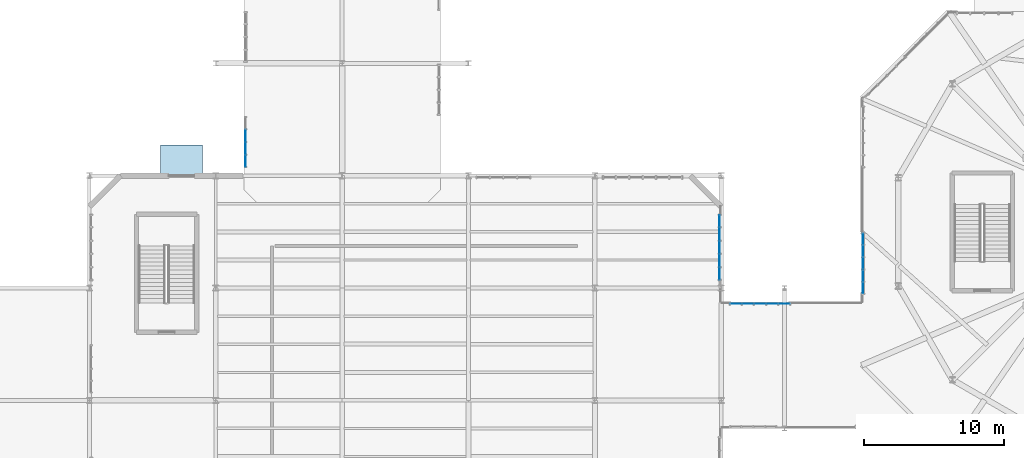
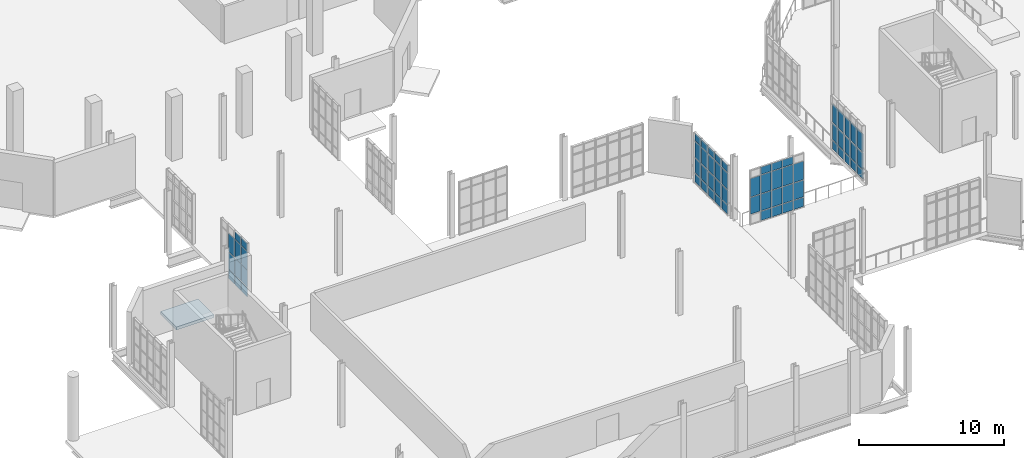
# One storey, part 143 of 189: 63 plates, 1 slab, 4 elements without a shape of their own.
"""IFC4 building model written with IfcOpenShell, lengths in metres."""

import ifcopenshell
import ifcopenshell.guid

model = None  # the IFC model being written
_history = None  # IfcOwnerHistory: only IFC2X3 demands one
_inside = {}  # id of a spatial element -> (the spatial element, [elements in it])
_under = {}  # id of a project, library or spatial element -> (it, [spatial elements below it])
_declared = {}  # id of a project -> (the project, [libraries it declares])
_typed = {}  # id of a type object -> (the type object, [elements of that type])
_made_of = {}  # id of a material, layer set ... -> (it, [elements and type objects made of it])


def new_model(schema):
    """Start an empty IFC model of exactly this schema.

    Asked for "IFC4X3", IfcOpenShell would pick the latest addendum, in which some entities
    have other attributes; the version numbers below select the first issue.
    IFC2X3 requires an IfcOwnerHistory on every rooted entity: one is made here for all.
    """
    global model, _history
    if schema == "IFC4X3":
        model = ifcopenshell.file(schema_version=(4, 3, 0, 0))
    else:
        model = ifcopenshell.file(schema=schema)
    _inside.clear()
    _under.clear()
    _declared.clear()
    _typed.clear()
    _made_of.clear()
    _history = None
    if model.schema == "IFC2X3":
        org = make("IfcOrganization", Name="unknown")
        user = make(
            "IfcPersonAndOrganization",
            ThePerson=make("IfcPerson", FamilyName="unknown"),
            TheOrganization=org,
        )
        app = make(
            "IfcApplication",
            ApplicationDeveloper=org,
            Version="unknown",
            ApplicationFullName="unknown",
            ApplicationIdentifier="unknown",
        )
        _history = make(
            "IfcOwnerHistory",
            OwningUser=user,
            OwningApplication=app,
            ChangeAction="ADDED",
            CreationDate=0,
        )
    return model


def make(cls, **values):
    """One entity of the class cls with the attributes given. An attribute that is None is left unset."""
    return model.create_entity(
        cls, **{name: value for name, value in values.items() if value is not None}
    )


def rooted(cls, **values):
    """An entity with a GlobalId (a new one), such as an element, a storey or a relation."""
    return make(cls, GlobalId=ifcopenshell.guid.new(), OwnerHistory=_history, **values)


def si_unit(unit_type, name, prefix=None):
    """IfcSIUnit, for example si_unit("LENGTHUNIT", "METRE", prefix="MILLI")."""
    return make("IfcSIUnit", UnitType=unit_type, Prefix=prefix, Name=name)


def assignment(units):
    """IfcUnitAssignment: the units of a project."""
    return None if units is None else make("IfcUnitAssignment", Units=units)


def point(xyz):
    """IfcCartesianPoint."""
    return None if xyz is None else make("IfcCartesianPoint", Coordinates=xyz)


def direction(xyz):
    """IfcDirection."""
    return None if xyz is None else make("IfcDirection", DirectionRatios=xyz)


def frame(location, z_axis=None, x_axis=None):
    """IfcAxis2Placement3D, a coordinate frame: its origin and axes. An axis left out is left unset."""
    return make(
        "IfcAxis2Placement3D",
        Location=point(location),
        Axis=direction(z_axis),
        RefDirection=direction(x_axis),
    )


def frame_2d(location, x_axis=None):
    """IfcAxis2Placement2D, a coordinate frame in the plane: its origin and x axis."""
    return make(
        "IfcAxis2Placement2D", Location=point(location), RefDirection=direction(x_axis)
    )


def origin():
    """The frame at (0, 0, 0) with its axes left unset."""
    return frame((0.0, 0.0, 0.0))


def origin_2d():
    """The frame at (0, 0) in the plane with its x axis left unset."""
    return frame_2d((0.0, 0.0))


def place(relative_to, where):
    """IfcLocalPlacement: puts the frame where relative to a parent placement (None: the world)."""
    return make(
        "IfcLocalPlacement", PlacementRelTo=relative_to, RelativePlacement=where
    )


def context(
    kind, dimensions, precision=None, world=None, true_north=None, identifier=None
):
    """IfcGeometricRepresentationContext, for example the 3D "Model" context."""
    return make(
        "IfcGeometricRepresentationContext",
        ContextIdentifier=identifier,
        ContextType=kind,
        CoordinateSpaceDimension=dimensions,
        Precision=precision,
        WorldCoordinateSystem=world,
        TrueNorth=true_north,
    )


def subcontext(parent, identifier, kind, view, scale=None):
    """IfcGeometricRepresentationSubContext, for example "Body" below "Model"."""
    return make(
        "IfcGeometricRepresentationSubContext",
        ContextIdentifier=identifier,
        ContextType=kind,
        ParentContext=parent,
        TargetScale=scale,
        TargetView=view,
    )


def project(units=None, contexts=None):
    """IfcProject with its units and contexts."""
    return rooted(
        "IfcProject",
        Name="project",
        RepresentationContexts=contexts,
        UnitsInContext=assignment(units),
    )


def spatial(cls, under=None, at=None, **own):
    """A site, building, storey or space (cls), placed at a placement, below another one or the project."""
    s = rooted(cls, ObjectPlacement=at, **own)
    if under is not None:
        _under.setdefault(under.id(), (under, []))[1].append(s)
    return s


def polyline(points):
    """IfcPolyline through the points."""
    return make("IfcPolyline", Points=[point(p) for p in points])


def profile(cls, at=None, kind="AREA", **sizes):
    """A parametric profile (cls). Its sizes go by their IFC names, for example OverallWidth=200.0."""
    return make(cls, ProfileType=kind, Position=at, **sizes)


def rectangle(**sizes):
    """IfcRectangleProfileDef."""
    return profile("IfcRectangleProfileDef", **sizes)


def outline(outer, holes=None, kind="AREA"):
    """IfcArbitraryClosedProfileDef: a profile drawn as a closed curve; with holes, ...WithVoids."""
    if holes is None:
        return make("IfcArbitraryClosedProfileDef", ProfileType=kind, OuterCurve=outer)
    return make(
        "IfcArbitraryProfileDefWithVoids",
        ProfileType=kind,
        OuterCurve=outer,
        InnerCurves=holes,
    )


def extrude(swept, where, along, depth):
    """IfcExtrudedAreaSolid: the profile swept, set in the frame where, extruded along a direction by depth."""
    return make(
        "IfcExtrudedAreaSolid",
        SweptArea=swept,
        Position=where,
        ExtrudedDirection=direction(along),
        Depth=depth,
    )


def shape(context_of_items, identifier, shape_type, items):
    """IfcShapeRepresentation: the items that make up one representation, for example the "Body"."""
    return make(
        "IfcShapeRepresentation",
        ContextOfItems=context_of_items,
        RepresentationIdentifier=identifier,
        RepresentationType=shape_type,
        Items=items,
    )


def material(Name=None, Category=None):
    """IfcMaterial."""
    return make("IfcMaterial", Name=Name, Category=Category)


def layer(
    of_material, thickness, ventilated=None, Name=None, Category=None, Priority=None
):
    """IfcMaterialLayer: one layer of a wall or slab, of a material (None: an air gap)."""
    return make(
        "IfcMaterialLayer",
        Material=of_material,
        LayerThickness=thickness,
        IsVentilated=ventilated,
        Name=Name,
        Category=Category,
        Priority=Priority,
    )


def layer_set(layers, Name=None):
    """IfcMaterialLayerSet."""
    return make("IfcMaterialLayerSet", MaterialLayers=layers, LayerSetName=Name)


def made_of(thing, what):
    """Note that an element or type object is made of a material, layer set ...; save() writes the relation."""
    if what is not None:
        _made_of.setdefault(what.id(), (what, []))[1].append(thing)
    return thing


def type_object(cls, material=None, **own):
    """A type object (cls), such as IfcWallType, which elements share."""
    return made_of(rooted(cls, **own), material)


def element(
    cls,
    number,
    at=None,
    inside=None,
    cuts=None,
    type_object=None,
    material=None,
    context=None,
    identifier="Body",
    shape_type=None,
    held_by="IfcProductDefinitionShape",
    body=None,
    shapes=None,
    **own,
):
    """One element of the class cls, such as IfcWall. Its Tag is "e" and its number.

    at: its placement. inside: the storey or other place that contains it. cuts: it is an
    opening in that element (IfcRelVoidsElement). A single representation is given by context,
    identifier, shape_type and body (its items); several are given by shapes. held_by: the class
    of the entity that holds the representations. save() writes the other relations.
    """
    e = rooted(cls, Tag="e%d" % number, ObjectPlacement=at, **own)
    if body is not None:
        shapes = [shape(context, identifier, shape_type, body)]
    if shapes is not None:
        e.Representation = make(held_by, Representations=shapes)
    if inside is not None:
        _inside.setdefault(inside.id(), (inside, []))[1].append(e)
    if cuts is not None:
        rooted(
            "IfcRelVoidsElement", RelatingBuildingElement=cuts, RelatedOpeningElement=e
        )
    if type_object is not None:
        _typed.setdefault(type_object.id(), (type_object, []))[1].append(e)
    return made_of(e, material)


def aggregate(whole, parts):
    """IfcRelAggregates: a whole, such as a stair, and the parts it consists of."""
    return rooted("IfcRelAggregates", RelatingObject=whole, RelatedObjects=parts)


def save(model, path):
    """Write the relations noted so far, then the file.

    IfcRelAggregates (storeys below a building ...), IfcRelContainedInSpatialStructure (elements
    in a storey), IfcRelDefinesByType, IfcRelAssociatesMaterial and IfcRelDeclares: one each for
    every whole, place, type object, material and project.
    """
    for whole, parts in _under.values():
        aggregate(whole, parts)
    for where, things in _inside.values():
        rooted(
            "IfcRelContainedInSpatialStructure",
            RelatedElements=things,
            RelatingStructure=where,
        )
    for kind, things in _typed.values():
        rooted("IfcRelDefinesByType", RelatedObjects=things, RelatingType=kind)
    for what, things in _made_of.values():
        rooted("IfcRelAssociatesMaterial", RelatedObjects=things, RelatingMaterial=what)
    for by, libraries in _declared.values():
        rooted("IfcRelDeclares", RelatingContext=by, RelatedDefinitions=libraries)
    model.write(path)


model = new_model("IFC4")

# Units and contexts
model_context = context("Model", 3, precision=1e-05, world=origin(), true_north=direction((0.0, 1.0)))
body_context = subcontext(model_context, "Body", "Model", "MODEL_VIEW")
ifc_project = project(units=[si_unit("LENGTHUNIT", "METRE"), si_unit("AREAUNIT", "SQUARE_METRE"), si_unit("VOLUMEUNIT", "CUBIC_METRE"), si_unit("PLANEANGLEUNIT", "RADIAN"), si_unit("MASSUNIT", "GRAM", prefix="KILO"), si_unit("THERMODYNAMICTEMPERATUREUNIT", "KELVIN"), si_unit("POWERUNIT", "WATT")], contexts=[model_context])

# Site, building, storey
site_placement = place(None, origin())
site = spatial("IfcSite", under=ifc_project, at=site_placement, CompositionType="ELEMENT")
building_placement = place(site_placement, origin())
building = spatial("IfcBuilding", under=site, at=building_placement, Name="Zelmaris Science Centre", CompositionType="ELEMENT")
storey_placement = place(building_placement, origin())
storey = spatial("IfcBuildingStorey", under=building, at=storey_placement, Name="L00", CompositionType="ELEMENT", Elevation=0.0)

# Curtain wall, plates
ifc_material_1 = material(Name="Anodised architectural aluminium 6063-T6", Category="aluminium")
ifc_layer_1 = layer(ifc_material_1, 0.18994140625, Name="Anodised architectural aluminium 6063-T6")
ifc_layer_set_1 = layer_set([ifc_layer_1], Name="Anodised architectural aluminium 6063-T6")
curtain_wall_type_1 = type_object("IfcCurtainWallType", Name="Curtain Wall CW-01", PredefinedType="USERDEFINED", material=ifc_layer_set_1)
curtain_wall_1_placement = place(storey_placement, origin())
curtain_wall_1 = element("IfcCurtainWall", 1, at=curtain_wall_1_placement, inside=storey, type_object=curtain_wall_type_1, Name="L00 Unitised curtain wall 49", ObjectType="GLAZED CURTAIN WALL", PredefinedType="USERDEFINED")
ifc_material_2 = material(Name="Laminated hurricane-rated low-E insulated glazing", Category="glass")
ifc_layer_2 = layer(ifc_material_2, 0.031982421875, Name="Laminated hurricane-rated low-E insulated glazing")
ifc_layer_set_2 = layer_set([ifc_layer_2], Name="Laminated hurricane-rated low-E insulated glazing")
plate_type_1 = type_object("IfcPlateType", Name="Curtain Glazing Panel CWP-1 32mm", PredefinedType="CURTAIN_PANEL", material=ifc_layer_set_2)
plate_1_placement = place(storey_placement, frame((64.107421875, 32.018310546875, 0.05712890625), z_axis=(0.0, 0.0, 1.0), x_axis=(0.00093479212, 0.999999563082, 0.0)))
plate_1 = element("IfcPlate", 2, at=plate_1_placement, type_object=plate_type_1, Name="CW-01 panel 1.1", PredefinedType="CURTAIN_PANEL", context=body_context, shape_type="SweptSolid", body=[
    extrude(rectangle(XDim=0.769287109375, YDim=0.031982421875, at=origin_2d()), origin(), (0.0, 0.0, 1.0), 0.741943359375),
])
plate_2_placement = place(storey_placement, frame((64.107421875, 32.018310546875, 0.87109375), z_axis=(0.0, 0.0, 1.0), x_axis=(0.00093479212, 0.999999563082, 0.0)))
plate_2 = element("IfcPlate", 3, at=plate_2_placement, type_object=plate_type_1, Name="CW-01 panel 1.2", PredefinedType="CURTAIN_PANEL", context=body_context, shape_type="SweptSolid", body=[
    extrude(rectangle(XDim=0.769287109375, YDim=0.031982421875, at=origin_2d()), origin(), (0.0, 0.0, 1.0), 1.385498046875),
])
plate_3_placement = place(storey_placement, frame((64.107421875, 32.018310546875, 2.32861328125), z_axis=(0.0, 0.0, 1.0), x_axis=(0.00093479212, 0.999999563082, 0.0)))
plate_3 = element("IfcPlate", 4, at=plate_3_placement, type_object=plate_type_1, Name="CW-01 panel 1.3", PredefinedType="CURTAIN_PANEL", context=body_context, shape_type="SweptSolid", body=[
    extrude(rectangle(XDim=0.769287109375, YDim=0.031982421875, at=origin_2d()), origin(), (0.0, 0.0, 1.0), 1.535400390625),
])
plate_4_placement = place(storey_placement, frame((64.108154296875, 32.877685546875, 0.05712890625), z_axis=(0.0, 0.0, 1.0), x_axis=(0.00093479212, 0.999999563082, 0.0)))
plate_4 = element("IfcPlate", 5, at=plate_4_placement, type_object=plate_type_1, Name="CW-01 panel 2.1", PredefinedType="CURTAIN_PANEL", context=body_context, shape_type="SweptSolid", body=[
    extrude(rectangle(XDim=0.80517578125, YDim=0.031982421875, at=origin_2d()), origin(), (0.0, 0.0, 1.0), 0.741943359375),
])
plate_5_placement = place(storey_placement, frame((64.108154296875, 32.877685546875, 0.87109375), z_axis=(0.0, 0.0, 1.0), x_axis=(0.00093479212, 0.999999563082, 0.0)))
plate_5 = element("IfcPlate", 6, at=plate_5_placement, type_object=plate_type_1, Name="CW-01 panel 2.2", PredefinedType="CURTAIN_PANEL", context=body_context, shape_type="SweptSolid", body=[
    extrude(rectangle(XDim=0.80517578125, YDim=0.031982421875, at=origin_2d()), origin(), (0.0, 0.0, 1.0), 1.385498046875),
])
plate_6_placement = place(storey_placement, frame((64.108154296875, 32.877685546875, 2.32861328125), z_axis=(0.0, 0.0, 1.0), x_axis=(0.00093479212, 0.999999563082, 0.0)))
plate_6 = element("IfcPlate", 7, at=plate_6_placement, type_object=plate_type_1, Name="CW-01 panel 2.3", PredefinedType="CURTAIN_PANEL", context=body_context, shape_type="SweptSolid", body=[
    extrude(rectangle(XDim=0.80517578125, YDim=0.031982421875, at=origin_2d()), origin(), (0.0, 0.0, 1.0), 1.535400390625),
])
plate_7_placement = place(storey_placement, frame((64.10888671875, 33.7548828125, 0.05712890625), z_axis=(0.0, 0.0, 1.0), x_axis=(0.00093479212, 0.999999563082, 0.0)))
plate_7 = element("IfcPlate", 8, at=plate_7_placement, type_object=plate_type_1, Name="CW-01 panel 3.1", PredefinedType="CURTAIN_PANEL", context=body_context, shape_type="SweptSolid", body=[
    extrude(rectangle(XDim=0.80517578125, YDim=0.031982421875, at=origin_2d()), origin(), (0.0, 0.0, 1.0), 0.741943359375),
])
plate_8_placement = place(storey_placement, frame((64.10888671875, 33.7548828125, 0.87109375), z_axis=(0.0, 0.0, 1.0), x_axis=(0.00093479212, 0.999999563082, 0.0)))
plate_8 = element("IfcPlate", 9, at=plate_8_placement, type_object=plate_type_1, Name="CW-01 panel 3.2", PredefinedType="CURTAIN_PANEL", context=body_context, shape_type="SweptSolid", body=[
    extrude(rectangle(XDim=0.80517578125, YDim=0.031982421875, at=origin_2d()), origin(), (0.0, 0.0, 1.0), 1.385498046875),
])
plate_9_placement = place(storey_placement, frame((64.10888671875, 33.7548828125, 2.32861328125), z_axis=(0.0, 0.0, 1.0), x_axis=(0.00093479212, 0.999999563082, 0.0)))
plate_9 = element("IfcPlate", 10, at=plate_9_placement, type_object=plate_type_1, Name="CW-01 panel 3.3", PredefinedType="CURTAIN_PANEL", context=body_context, shape_type="SweptSolid", body=[
    extrude(rectangle(XDim=0.80517578125, YDim=0.031982421875, at=origin_2d()), origin(), (0.0, 0.0, 1.0), 1.535400390625),
])
plate_10_placement = place(storey_placement, frame((64.10986328125, 34.632080078125, 0.05712890625), z_axis=(0.0, 0.0, 1.0), x_axis=(0.00093479212, 0.999999563082, 0.0)))
plate_10 = element("IfcPlate", 11, at=plate_10_placement, type_object=plate_type_1, Name="CW-01 panel 4.1", PredefinedType="CURTAIN_PANEL", context=body_context, shape_type="SweptSolid", body=[
    extrude(rectangle(XDim=0.80517578125, YDim=0.031982421875, at=origin_2d()), origin(), (0.0, 0.0, 1.0), 0.741943359375),
])
plate_11_placement = place(storey_placement, frame((64.10986328125, 34.632080078125, 0.87109375), z_axis=(0.0, 0.0, 1.0), x_axis=(0.00093479212, 0.999999563082, 0.0)))
plate_11 = element("IfcPlate", 12, at=plate_11_placement, type_object=plate_type_1, Name="CW-01 panel 4.2", PredefinedType="CURTAIN_PANEL", context=body_context, shape_type="SweptSolid", body=[
    extrude(rectangle(XDim=0.80517578125, YDim=0.031982421875, at=origin_2d()), origin(), (0.0, 0.0, 1.0), 1.385498046875),
])
plate_12_placement = place(storey_placement, frame((64.10986328125, 34.632080078125, 2.32861328125), z_axis=(0.0, 0.0, 1.0), x_axis=(0.00093479212, 0.999999563082, 0.0)))
plate_12 = element("IfcPlate", 13, at=plate_12_placement, type_object=plate_type_1, Name="CW-01 panel 4.3", PredefinedType="CURTAIN_PANEL", context=body_context, shape_type="SweptSolid", body=[
    extrude(rectangle(XDim=0.80517578125, YDim=0.031982421875, at=origin_2d()), origin(), (0.0, 0.0, 1.0), 1.535400390625),
])
plate_13_placement = place(storey_placement, frame((64.110595703125, 35.4912109375, 0.05712890625), z_axis=(0.0, 0.0, 1.0), x_axis=(0.00093479212, 0.999999563082, 0.0)))
plate_13 = element("IfcPlate", 14, at=plate_13_placement, type_object=plate_type_1, Name="CW-01 panel 5.1", PredefinedType="CURTAIN_PANEL", context=body_context, shape_type="SweptSolid", body=[
    extrude(rectangle(XDim=0.769287109375, YDim=0.031982421875, at=origin_2d()), origin(), (0.0, 0.0, 1.0), 0.741943359375),
])
plate_14_placement = place(storey_placement, frame((64.110595703125, 35.4912109375, 0.87109375), z_axis=(0.0, 0.0, 1.0), x_axis=(0.00093479212, 0.999999563082, 0.0)))
plate_14 = element("IfcPlate", 15, at=plate_14_placement, type_object=plate_type_1, Name="CW-01 panel 5.2", PredefinedType="CURTAIN_PANEL", context=body_context, shape_type="SweptSolid", body=[
    extrude(rectangle(XDim=0.769287109375, YDim=0.031982421875, at=origin_2d()), origin(), (0.0, 0.0, 1.0), 1.385498046875),
])
plate_15_placement = place(storey_placement, frame((64.110595703125, 35.4912109375, 2.32861328125), z_axis=(0.0, 0.0, 1.0), x_axis=(0.00093479212, 0.999999563082, 0.0)))
plate_15 = element("IfcPlate", 16, at=plate_15_placement, type_object=plate_type_1, Name="CW-01 panel 5.3", PredefinedType="CURTAIN_PANEL", context=body_context, shape_type="SweptSolid", body=[
    extrude(rectangle(XDim=0.769287109375, YDim=0.031982421875, at=origin_2d()), origin(), (0.0, 0.0, 1.0), 1.535400390625),
])
aggregate(curtain_wall_1, [plate_1, plate_2, plate_3, plate_4, plate_5, plate_6, plate_7, plate_8, plate_9, plate_10, plate_11, plate_12, plate_13, plate_14, plate_15])

ifc_layer_3 = layer(ifc_material_1, 0.199951171875, Name="Anodised architectural aluminium 6063-T6")
ifc_layer_set_3 = layer_set([ifc_layer_3], Name="Anodised architectural aluminium 6063-T6")
curtain_wall_type_2 = type_object("IfcCurtainWallType", Name="Curtain Wall CW-02", PredefinedType="USERDEFINED", material=ifc_layer_set_3)
curtain_wall_2_placement = place(storey_placement, origin())
curtain_wall_2 = element("IfcCurtainWall", 17, at=curtain_wall_2_placement, inside=storey, type_object=curtain_wall_type_2, Name="L00 Unitised curtain wall 46", ObjectType="GLAZED CURTAIN WALL", PredefinedType="USERDEFINED")
ifc_layer_4 = layer(ifc_material_2, 0.028076171875, Name="Laminated hurricane-rated low-E insulated glazing")
ifc_layer_set_4 = layer_set([ifc_layer_4], Name="Laminated hurricane-rated low-E insulated glazing")
plate_type_2 = type_object("IfcPlateType", Name="Curtain Glazing Panel CWP-2 28mm", PredefinedType="CURTAIN_PANEL", material=ifc_layer_set_4)
plate_16_placement = place(storey_placement, frame((53.8798828125, 36.771240234375, 0.052001953125), z_axis=(0.0, 0.0, 1.0), x_axis=(2.1186447e-05, -0.999999999776, 0.0)))
plate_16 = element("IfcPlate", 18, at=plate_16_placement, type_object=plate_type_2, Name="CW-02 panel 1.1", PredefinedType="CURTAIN_PANEL", context=body_context, shape_type="SweptSolid", body=[
    extrude(rectangle(XDim=0.843505859375, YDim=0.028076171875, at=origin_2d()), origin(), (0.0, 0.0, 1.0), 0.74951171875),
])
plate_17_placement = place(storey_placement, frame((53.8798828125, 36.771240234375, 0.86865234375), z_axis=(0.0, 0.0, 1.0), x_axis=(2.1186447e-05, -0.999999999776, 0.0)))
plate_17 = element("IfcPlate", 19, at=plate_17_placement, type_object=plate_type_2, Name="CW-02 panel 1.2", PredefinedType="CURTAIN_PANEL", context=body_context, shape_type="SweptSolid", body=[
    extrude(rectangle(XDim=0.843505859375, YDim=0.028076171875, at=origin_2d()), origin(), (0.0, 0.0, 1.0), 1.215087890625),
])
plate_18_placement = place(storey_placement, frame((53.8798828125, 36.771240234375, 2.150390625), z_axis=(0.0, 0.0, 1.0), x_axis=(2.1186447e-05, -0.999999999776, 0.0)))
plate_18 = element("IfcPlate", 20, at=plate_18_placement, type_object=plate_type_2, Name="CW-02 panel 1.3", PredefinedType="CURTAIN_PANEL", context=body_context, shape_type="SweptSolid", body=[
    extrude(rectangle(XDim=0.843505859375, YDim=0.028076171875, at=origin_2d()), origin(), (0.0, 0.0, 1.0), 1.364990234375),
])
plate_19_placement = place(storey_placement, frame((53.8798828125, 36.771240234375, 3.58251953125), z_axis=(0.0, 0.0, 1.0), x_axis=(2.1186447e-05, -0.999999999776, 0.0)))
plate_19 = element("IfcPlate", 21, at=plate_19_placement, type_object=plate_type_2, Name="CW-02 panel 1.4", PredefinedType="CURTAIN_PANEL", context=body_context, shape_type="SweptSolid", body=[
    extrude(rectangle(XDim=0.843505859375, YDim=0.028076171875, at=origin_2d()), origin(), (0.0, 0.0, 1.0), 0.599609375),
])
plate_20_placement = place(storey_placement, frame((53.8798828125, 35.843994140625, 0.052001953125), z_axis=(0.0, 0.0, 1.0), x_axis=(2.1186447e-05, -0.999999999776, 0.0)))
plate_20 = element("IfcPlate", 22, at=plate_20_placement, type_object=plate_type_2, Name="CW-02 panel 2.1", PredefinedType="CURTAIN_PANEL", context=body_context, shape_type="SweptSolid", body=[
    extrude(rectangle(XDim=0.876953125, YDim=0.028076171875, at=origin_2d()), origin(), (0.0, 0.0, 1.0), 0.74951171875),
])
plate_21_placement = place(storey_placement, frame((53.8798828125, 35.843994140625, 0.86865234375), z_axis=(0.0, 0.0, 1.0), x_axis=(2.1186447e-05, -0.999999999776, 0.0)))
plate_21 = element("IfcPlate", 23, at=plate_21_placement, type_object=plate_type_2, Name="CW-02 panel 2.2", PredefinedType="CURTAIN_PANEL", context=body_context, shape_type="SweptSolid", body=[
    extrude(rectangle(XDim=0.876953125, YDim=0.028076171875, at=origin_2d()), origin(), (0.0, 0.0, 1.0), 1.215087890625),
])
plate_22_placement = place(storey_placement, frame((53.8798828125, 35.843994140625, 2.150390625), z_axis=(0.0, 0.0, 1.0), x_axis=(2.1186447e-05, -0.999999999776, 0.0)))
plate_22 = element("IfcPlate", 24, at=plate_22_placement, type_object=plate_type_2, Name="CW-02 panel 2.3", PredefinedType="CURTAIN_PANEL", context=body_context, shape_type="SweptSolid", body=[
    extrude(rectangle(XDim=0.876953125, YDim=0.028076171875, at=origin_2d()), origin(), (0.0, 0.0, 1.0), 1.364990234375),
])
plate_23_placement = place(storey_placement, frame((53.8798828125, 35.843994140625, 3.58251953125), z_axis=(0.0, 0.0, 1.0), x_axis=(2.1186447e-05, -0.999999999776, 0.0)))
plate_23 = element("IfcPlate", 25, at=plate_23_placement, type_object=plate_type_2, Name="CW-02 panel 2.4", PredefinedType="CURTAIN_PANEL", context=body_context, shape_type="SweptSolid", body=[
    extrude(rectangle(XDim=0.876953125, YDim=0.028076171875, at=origin_2d()), origin(), (0.0, 0.0, 1.0), 0.599609375),
])
plate_24_placement = place(storey_placement, frame((53.8798828125, 34.89990234375, 0.052001953125), z_axis=(0.0, 0.0, 1.0), x_axis=(2.1186447e-05, -0.999999999776, 0.0)))
plate_24 = element("IfcPlate", 26, at=plate_24_placement, type_object=plate_type_2, Name="CW-02 panel 3.1", PredefinedType="CURTAIN_PANEL", context=body_context, shape_type="SweptSolid", body=[
    extrude(rectangle(XDim=0.876953125, YDim=0.028076171875, at=origin_2d()), origin(), (0.0, 0.0, 1.0), 0.74951171875),
])
plate_25_placement = place(storey_placement, frame((53.8798828125, 34.89990234375, 0.86865234375), z_axis=(0.0, 0.0, 1.0), x_axis=(2.1186447e-05, -0.999999999776, 0.0)))
plate_25 = element("IfcPlate", 27, at=plate_25_placement, type_object=plate_type_2, Name="CW-02 panel 3.2", PredefinedType="CURTAIN_PANEL", context=body_context, shape_type="SweptSolid", body=[
    extrude(rectangle(XDim=0.876953125, YDim=0.028076171875, at=origin_2d()), origin(), (0.0, 0.0, 1.0), 1.215087890625),
])
plate_26_placement = place(storey_placement, frame((53.8798828125, 34.89990234375, 2.150390625), z_axis=(0.0, 0.0, 1.0), x_axis=(2.1186447e-05, -0.999999999776, 0.0)))
plate_26 = element("IfcPlate", 28, at=plate_26_placement, type_object=plate_type_2, Name="CW-02 panel 3.3", PredefinedType="CURTAIN_PANEL", context=body_context, shape_type="SweptSolid", body=[
    extrude(rectangle(XDim=0.876953125, YDim=0.028076171875, at=origin_2d()), origin(), (0.0, 0.0, 1.0), 1.364990234375),
])
plate_27_placement = place(storey_placement, frame((53.8798828125, 34.89990234375, 3.58251953125), z_axis=(0.0, 0.0, 1.0), x_axis=(2.1186447e-05, -0.999999999776, 0.0)))
plate_27 = element("IfcPlate", 29, at=plate_27_placement, type_object=plate_type_2, Name="CW-02 panel 3.4", PredefinedType="CURTAIN_PANEL", context=body_context, shape_type="SweptSolid", body=[
    extrude(rectangle(XDim=0.876953125, YDim=0.028076171875, at=origin_2d()), origin(), (0.0, 0.0, 1.0), 0.599609375),
])
plate_28_placement = place(storey_placement, frame((53.8798828125, 33.9560546875, 0.052001953125), z_axis=(0.0, 0.0, 1.0), x_axis=(2.1186447e-05, -0.999999999776, 0.0)))
plate_28 = element("IfcPlate", 30, at=plate_28_placement, type_object=plate_type_2, Name="CW-02 panel 4.1", PredefinedType="CURTAIN_PANEL", context=body_context, shape_type="SweptSolid", body=[
    extrude(rectangle(XDim=0.876953125, YDim=0.028076171875, at=origin_2d()), origin(), (0.0, 0.0, 1.0), 0.74951171875),
])
plate_29_placement = place(storey_placement, frame((53.8798828125, 33.9560546875, 0.86865234375), z_axis=(0.0, 0.0, 1.0), x_axis=(2.1186447e-05, -0.999999999776, 0.0)))
plate_29 = element("IfcPlate", 31, at=plate_29_placement, type_object=plate_type_2, Name="CW-02 panel 4.2", PredefinedType="CURTAIN_PANEL", context=body_context, shape_type="SweptSolid", body=[
    extrude(rectangle(XDim=0.876953125, YDim=0.028076171875, at=origin_2d()), origin(), (0.0, 0.0, 1.0), 1.215087890625),
])
plate_30_placement = place(storey_placement, frame((53.8798828125, 33.9560546875, 2.150390625), z_axis=(0.0, 0.0, 1.0), x_axis=(2.1186447e-05, -0.999999999776, 0.0)))
plate_30 = element("IfcPlate", 32, at=plate_30_placement, type_object=plate_type_2, Name="CW-02 panel 4.3", PredefinedType="CURTAIN_PANEL", context=body_context, shape_type="SweptSolid", body=[
    extrude(rectangle(XDim=0.876953125, YDim=0.028076171875, at=origin_2d()), origin(), (0.0, 0.0, 1.0), 1.364990234375),
])
plate_31_placement = place(storey_placement, frame((53.8798828125, 33.9560546875, 3.58251953125), z_axis=(0.0, 0.0, 1.0), x_axis=(2.1186447e-05, -0.999999999776, 0.0)))
plate_31 = element("IfcPlate", 33, at=plate_31_placement, type_object=plate_type_2, Name="CW-02 panel 4.4", PredefinedType="CURTAIN_PANEL", context=body_context, shape_type="SweptSolid", body=[
    extrude(rectangle(XDim=0.876953125, YDim=0.028076171875, at=origin_2d()), origin(), (0.0, 0.0, 1.0), 0.599609375),
])
plate_32_placement = place(storey_placement, frame((53.8798828125, 33.02880859375, 0.052001953125), z_axis=(0.0, 0.0, 1.0), x_axis=(2.1186447e-05, -0.999999999776, 0.0)))
plate_32 = element("IfcPlate", 34, at=plate_32_placement, type_object=plate_type_2, Name="CW-02 panel 5.1", PredefinedType="CURTAIN_PANEL", context=body_context, shape_type="SweptSolid", body=[
    extrude(rectangle(XDim=0.843505859375, YDim=0.028076171875, at=origin_2d()), origin(), (0.0, 0.0, 1.0), 0.74951171875),
])
plate_33_placement = place(storey_placement, frame((53.8798828125, 33.02880859375, 0.86865234375), z_axis=(0.0, 0.0, 1.0), x_axis=(2.1186447e-05, -0.999999999776, 0.0)))
plate_33 = element("IfcPlate", 35, at=plate_33_placement, type_object=plate_type_2, Name="CW-02 panel 5.2", PredefinedType="CURTAIN_PANEL", context=body_context, shape_type="SweptSolid", body=[
    extrude(rectangle(XDim=0.843505859375, YDim=0.028076171875, at=origin_2d()), origin(), (0.0, 0.0, 1.0), 1.215087890625),
])
plate_34_placement = place(storey_placement, frame((53.8798828125, 33.02880859375, 2.150390625), z_axis=(0.0, 0.0, 1.0), x_axis=(2.1186447e-05, -0.999999999776, 0.0)))
plate_34 = element("IfcPlate", 36, at=plate_34_placement, type_object=plate_type_2, Name="CW-02 panel 5.3", PredefinedType="CURTAIN_PANEL", context=body_context, shape_type="SweptSolid", body=[
    extrude(rectangle(XDim=0.843505859375, YDim=0.028076171875, at=origin_2d()), origin(), (0.0, 0.0, 1.0), 1.364990234375),
])
plate_35_placement = place(storey_placement, frame((53.8798828125, 33.02880859375, 3.58251953125), z_axis=(0.0, 0.0, 1.0), x_axis=(2.1186447e-05, -0.999999999776, 0.0)))
plate_35 = element("IfcPlate", 37, at=plate_35_placement, type_object=plate_type_2, Name="CW-02 panel 5.4", PredefinedType="CURTAIN_PANEL", context=body_context, shape_type="SweptSolid", body=[
    extrude(rectangle(XDim=0.843505859375, YDim=0.028076171875, at=origin_2d()), origin(), (0.0, 0.0, 1.0), 0.599609375),
])
aggregate(curtain_wall_2, [plate_16, plate_17, plate_18, plate_19, plate_20, plate_21, plate_22, plate_23, plate_24, plate_25, plate_26, plate_27, plate_28, plate_29, plate_30, plate_31, plate_32, plate_33, plate_34, plate_35])

ifc_layer_5 = layer(ifc_material_1, 0.2099609375, Name="Anodised architectural aluminium 6063-T6")
ifc_layer_set_5 = layer_set([ifc_layer_5], Name="Anodised architectural aluminium 6063-T6")
curtain_wall_type_3 = type_object("IfcCurtainWallType", Name="Curtain Wall CW-03", PredefinedType="USERDEFINED", material=ifc_layer_set_5)
curtain_wall_3_placement = place(storey_placement, origin())
curtain_wall_3 = element("IfcCurtainWall", 38, at=curtain_wall_3_placement, inside=storey, type_object=curtain_wall_type_3, Name="L00 Unitised curtain wall 7", ObjectType="GLAZED CURTAIN WALL", PredefinedType="USERDEFINED")
ifc_layer_6 = layer(ifc_material_2, 0.02587890625, Name="Laminated hurricane-rated low-E insulated glazing")
ifc_layer_set_6 = layer_set([ifc_layer_6], Name="Laminated hurricane-rated low-E insulated glazing")
plate_type_3 = type_object("IfcPlateType", Name="Curtain Glazing Panel CWP-3 26mm", PredefinedType="CURTAIN_PANEL", material=ifc_layer_set_6)
plate_36_placement = place(storey_placement, frame((20.119384765625, 41.060791015625, 0.0419921875), z_axis=(0.0, 0.0, 1.0), x_axis=(-0.000442159901, 0.999999902247, 0.0)))
plate_36 = element("IfcPlate", 39, at=plate_36_placement, type_object=plate_type_3, Name="CW-03 panel 1.1", PredefinedType="CURTAIN_PANEL", context=body_context, shape_type="SweptSolid", body=[
    extrude(rectangle(XDim=0.819091796875, YDim=0.02587890625, at=origin_2d()), origin(), (0.0, 0.0, 1.0), 0.764404296875),
])
plate_37_placement = place(storey_placement, frame((20.119384765625, 41.060791015625, 0.863525390625), z_axis=(0.0, 0.0, 1.0), x_axis=(-0.000442159901, 0.999999902247, 0.0)))
plate_37 = element("IfcPlate", 40, at=plate_37_placement, type_object=plate_type_3, Name="CW-03 panel 1.2", PredefinedType="CURTAIN_PANEL", context=body_context, shape_type="SweptSolid", body=[
    extrude(rectangle(XDim=0.819091796875, YDim=0.02587890625, at=origin_2d()), origin(), (0.0, 0.0, 1.0), 1.400390625),
])
plate_38_placement = place(storey_placement, frame((20.119384765625, 41.060791015625, 2.32080078125), z_axis=(0.0, 0.0, 1.0), x_axis=(-0.000442159901, 0.999999902247, 0.0)))
plate_38 = element("IfcPlate", 41, at=plate_38_placement, type_object=plate_type_3, Name="CW-03 panel 1.3", PredefinedType="CURTAIN_PANEL", context=body_context, shape_type="SweptSolid", body=[
    extrude(rectangle(XDim=0.819091796875, YDim=0.02587890625, at=origin_2d()), origin(), (0.0, 0.0, 1.0), 1.550537109375),
])
plate_39_placement = place(storey_placement, frame((20.119384765625, 41.060791015625, 3.9287109375), z_axis=(0.0, 0.0, 1.0), x_axis=(-0.000442159901, 0.999999902247, 0.0)))
plate_39 = element("IfcPlate", 42, at=plate_39_placement, type_object=plate_type_3, Name="CW-03 panel 1.4", PredefinedType="CURTAIN_PANEL", context=body_context, shape_type="SweptSolid", body=[
    extrude(rectangle(XDim=0.819091796875, YDim=0.02587890625, at=origin_2d()), origin(), (0.0, 0.0, 1.0), 0.614501953125),
])
plate_40_placement = place(storey_placement, frame((20.118896484375, 41.951171875, 0.0419921875), z_axis=(0.0, 0.0, 1.0), x_axis=(-0.000442159901, 0.999999902247, 0.0)))
plate_40 = element("IfcPlate", 43, at=plate_40_placement, type_object=plate_type_3, Name="CW-03 panel 2.1", PredefinedType="CURTAIN_PANEL", context=body_context, shape_type="SweptSolid", body=[
    extrude(rectangle(XDim=0.84765625, YDim=0.02587890625, at=origin_2d()), origin(), (0.0, 0.0, 1.0), 0.764404296875),
])
plate_41_placement = place(storey_placement, frame((20.118896484375, 41.951171875, 0.863525390625), z_axis=(0.0, 0.0, 1.0), x_axis=(-0.000442159901, 0.999999902247, 0.0)))
plate_41 = element("IfcPlate", 44, at=plate_41_placement, type_object=plate_type_3, Name="CW-03 panel 2.2", PredefinedType="CURTAIN_PANEL", context=body_context, shape_type="SweptSolid", body=[
    extrude(rectangle(XDim=0.84765625, YDim=0.02587890625, at=origin_2d()), origin(), (0.0, 0.0, 1.0), 1.400390625),
])
plate_42_placement = place(storey_placement, frame((20.118896484375, 41.951171875, 2.32080078125), z_axis=(0.0, 0.0, 1.0), x_axis=(-0.000442159901, 0.999999902247, 0.0)))
plate_42 = element("IfcPlate", 45, at=plate_42_placement, type_object=plate_type_3, Name="CW-03 panel 2.3", PredefinedType="CURTAIN_PANEL", context=body_context, shape_type="SweptSolid", body=[
    extrude(rectangle(XDim=0.84765625, YDim=0.02587890625, at=origin_2d()), origin(), (0.0, 0.0, 1.0), 1.550537109375),
])
plate_43_placement = place(storey_placement, frame((20.118896484375, 41.951171875, 3.9287109375), z_axis=(0.0, 0.0, 1.0), x_axis=(-0.000442159901, 0.999999902247, 0.0)))
plate_43 = element("IfcPlate", 46, at=plate_43_placement, type_object=plate_type_3, Name="CW-03 panel 2.4", PredefinedType="CURTAIN_PANEL", context=body_context, shape_type="SweptSolid", body=[
    extrude(rectangle(XDim=0.84765625, YDim=0.02587890625, at=origin_2d()), origin(), (0.0, 0.0, 1.0), 0.614501953125),
])
plate_44_placement = place(storey_placement, frame((20.118408203125, 42.855712890625, 0.0419921875), z_axis=(0.0, 0.0, 1.0), x_axis=(-0.000442159901, 0.999999902247, 0.0)))
plate_44 = element("IfcPlate", 47, at=plate_44_placement, type_object=plate_type_3, Name="CW-03 panel 3.1", PredefinedType="CURTAIN_PANEL", context=body_context, shape_type="SweptSolid", body=[
    extrude(rectangle(XDim=0.84765625, YDim=0.02587890625, at=origin_2d()), origin(), (0.0, 0.0, 1.0), 0.764404296875),
])
plate_45_placement = place(storey_placement, frame((20.118408203125, 42.855712890625, 0.863525390625), z_axis=(0.0, 0.0, 1.0), x_axis=(-0.000442159901, 0.999999902247, 0.0)))
plate_45 = element("IfcPlate", 48, at=plate_45_placement, type_object=plate_type_3, Name="CW-03 panel 3.2", PredefinedType="CURTAIN_PANEL", context=body_context, shape_type="SweptSolid", body=[
    extrude(rectangle(XDim=0.84765625, YDim=0.02587890625, at=origin_2d()), origin(), (0.0, 0.0, 1.0), 1.400390625),
])
plate_46_placement = place(storey_placement, frame((20.118408203125, 42.855712890625, 2.32080078125), z_axis=(0.0, 0.0, 1.0), x_axis=(-0.000442159901, 0.999999902247, 0.0)))
plate_46 = element("IfcPlate", 49, at=plate_46_placement, type_object=plate_type_3, Name="CW-03 panel 3.3", PredefinedType="CURTAIN_PANEL", context=body_context, shape_type="SweptSolid", body=[
    extrude(rectangle(XDim=0.84765625, YDim=0.02587890625, at=origin_2d()), origin(), (0.0, 0.0, 1.0), 1.550537109375),
])
aggregate(curtain_wall_3, [plate_36, plate_37, plate_38, plate_39, plate_40, plate_41, plate_42, plate_43, plate_44, plate_45, plate_46])

curtain_wall_4_placement = place(storey_placement, origin())
curtain_wall_4 = element("IfcCurtainWall", 50, at=curtain_wall_4_placement, inside=storey, type_object=curtain_wall_type_3, Name="L00 Unitised curtain wall 47", ObjectType="GLAZED CURTAIN WALL", PredefinedType="USERDEFINED")
plate_47_placement = place(storey_placement, frame((55.037109375, 30.881103515625, 0.863525390625), z_axis=(0.0, 0.0, 1.0), x_axis=(0.999999993381, -0.000115053622, 0.0)))
plate_47 = element("IfcPlate", 51, at=plate_47_placement, type_object=plate_type_3, Name="CW-03 panel 1.2", PredefinedType="CURTAIN_PANEL", context=body_context, shape_type="SweptSolid", body=[
    extrude(rectangle(XDim=0.78369140625, YDim=0.02587890625, at=origin_2d()), origin(), (0.0, 0.0, 1.0), 1.400390625),
])
plate_48_placement = place(storey_placement, frame((55.037109375, 30.881103515625, 2.32080078125), z_axis=(0.0, 0.0, 1.0), x_axis=(0.999999993381, -0.000115053622, 0.0)))
plate_48 = element("IfcPlate", 52, at=plate_48_placement, type_object=plate_type_3, Name="CW-03 panel 1.3", PredefinedType="CURTAIN_PANEL", context=body_context, shape_type="SweptSolid", body=[
    extrude(rectangle(XDim=0.78369140625, YDim=0.02587890625, at=origin_2d()), origin(), (0.0, 0.0, 1.0), 1.550537109375),
])
plate_49_placement = place(storey_placement, frame((55.89208984375, 30.880859375, 0.0419921875), z_axis=(0.0, 0.0, 1.0), x_axis=(0.999999993381, -0.000115053622, 0.0)))
plate_49 = element("IfcPlate", 53, at=plate_49_placement, type_object=plate_type_3, Name="CW-03 panel 2.1", PredefinedType="CURTAIN_PANEL", context=body_context, shape_type="SweptSolid", body=[
    extrude(rectangle(XDim=0.812255859375, YDim=0.02587890625, at=origin_2d()), origin(), (0.0, 0.0, 1.0), 0.764404296875),
])
plate_50_placement = place(storey_placement, frame((55.89208984375, 30.880859375, 0.863525390625), z_axis=(0.0, 0.0, 1.0), x_axis=(0.999999993381, -0.000115053622, 0.0)))
plate_50 = element("IfcPlate", 54, at=plate_50_placement, type_object=plate_type_3, Name="CW-03 panel 2.2", PredefinedType="CURTAIN_PANEL", context=body_context, shape_type="SweptSolid", body=[
    extrude(rectangle(XDim=0.812255859375, YDim=0.02587890625, at=origin_2d()), origin(), (0.0, 0.0, 1.0), 1.400390625),
])
plate_51_placement = place(storey_placement, frame((55.89208984375, 30.880859375, 2.32080078125), z_axis=(0.0, 0.0, 1.0), x_axis=(0.999999993381, -0.000115053622, 0.0)))
plate_51 = element("IfcPlate", 55, at=plate_51_placement, type_object=plate_type_3, Name="CW-03 panel 2.3", PredefinedType="CURTAIN_PANEL", context=body_context, shape_type="SweptSolid", body=[
    extrude(rectangle(XDim=0.812255859375, YDim=0.02587890625, at=origin_2d()), origin(), (0.0, 0.0, 1.0), 1.550537109375),
])
plate_52_placement = place(storey_placement, frame((55.89208984375, 30.880859375, 3.9287109375), z_axis=(0.0, 0.0, 1.0), x_axis=(0.999999993381, -0.000115053622, 0.0)))
plate_52 = element("IfcPlate", 56, at=plate_52_placement, type_object=plate_type_3, Name="CW-03 panel 2.4", PredefinedType="CURTAIN_PANEL", context=body_context, shape_type="SweptSolid", body=[
    extrude(rectangle(XDim=0.812255859375, YDim=0.02587890625, at=origin_2d()), origin(), (0.0, 0.0, 1.0), 0.614501953125),
])
plate_53_placement = place(storey_placement, frame((56.76123046875, 30.880859375, 0.0419921875), z_axis=(0.0, 0.0, 1.0), x_axis=(0.999999993381, -0.000115053622, 0.0)))
plate_53 = element("IfcPlate", 57, at=plate_53_placement, type_object=plate_type_3, Name="CW-03 panel 3.1", PredefinedType="CURTAIN_PANEL", context=body_context, shape_type="SweptSolid", body=[
    extrude(rectangle(XDim=0.812255859375, YDim=0.02587890625, at=origin_2d()), origin(), (0.0, 0.0, 1.0), 0.764404296875),
])
plate_54_placement = place(storey_placement, frame((56.76123046875, 30.880859375, 0.863525390625), z_axis=(0.0, 0.0, 1.0), x_axis=(0.999999993381, -0.000115053622, 0.0)))
plate_54 = element("IfcPlate", 58, at=plate_54_placement, type_object=plate_type_3, Name="CW-03 panel 3.2", PredefinedType="CURTAIN_PANEL", context=body_context, shape_type="SweptSolid", body=[
    extrude(rectangle(XDim=0.812255859375, YDim=0.02587890625, at=origin_2d()), origin(), (0.0, 0.0, 1.0), 1.400390625),
])
plate_55_placement = place(storey_placement, frame((56.76123046875, 30.880859375, 2.32080078125), z_axis=(0.0, 0.0, 1.0), x_axis=(0.999999993381, -0.000115053622, 0.0)))
plate_55 = element("IfcPlate", 59, at=plate_55_placement, type_object=plate_type_3, Name="CW-03 panel 3.3", PredefinedType="CURTAIN_PANEL", context=body_context, shape_type="SweptSolid", body=[
    extrude(rectangle(XDim=0.812255859375, YDim=0.02587890625, at=origin_2d()), origin(), (0.0, 0.0, 1.0), 1.550537109375),
])
plate_56_placement = place(storey_placement, frame((56.76123046875, 30.880859375, 3.9287109375), z_axis=(0.0, 0.0, 1.0), x_axis=(0.999999993381, -0.000115053622, 0.0)))
plate_56 = element("IfcPlate", 60, at=plate_56_placement, type_object=plate_type_3, Name="CW-03 panel 3.4", PredefinedType="CURTAIN_PANEL", context=body_context, shape_type="SweptSolid", body=[
    extrude(rectangle(XDim=0.812255859375, YDim=0.02587890625, at=origin_2d()), origin(), (0.0, 0.0, 1.0), 0.614501953125),
])
plate_57_placement = place(storey_placement, frame((57.63037109375, 30.880859375, 0.0419921875), z_axis=(0.0, 0.0, 1.0), x_axis=(0.999999993381, -0.000115053622, 0.0)))
plate_57 = element("IfcPlate", 61, at=plate_57_placement, type_object=plate_type_3, Name="CW-03 panel 4.1", PredefinedType="CURTAIN_PANEL", context=body_context, shape_type="SweptSolid", body=[
    extrude(rectangle(XDim=0.812255859375, YDim=0.02587890625, at=origin_2d()), origin(), (0.0, 0.0, 1.0), 0.764404296875),
])
plate_58_placement = place(storey_placement, frame((57.63037109375, 30.880859375, 0.863525390625), z_axis=(0.0, 0.0, 1.0), x_axis=(0.999999993381, -0.000115053622, 0.0)))
plate_58 = element("IfcPlate", 62, at=plate_58_placement, type_object=plate_type_3, Name="CW-03 panel 4.2", PredefinedType="CURTAIN_PANEL", context=body_context, shape_type="SweptSolid", body=[
    extrude(rectangle(XDim=0.812255859375, YDim=0.02587890625, at=origin_2d()), origin(), (0.0, 0.0, 1.0), 1.400390625),
])
plate_59_placement = place(storey_placement, frame((57.63037109375, 30.880859375, 2.32080078125), z_axis=(0.0, 0.0, 1.0), x_axis=(0.999999993381, -0.000115053622, 0.0)))
plate_59 = element("IfcPlate", 63, at=plate_59_placement, type_object=plate_type_3, Name="CW-03 panel 4.3", PredefinedType="CURTAIN_PANEL", context=body_context, shape_type="SweptSolid", body=[
    extrude(rectangle(XDim=0.812255859375, YDim=0.02587890625, at=origin_2d()), origin(), (0.0, 0.0, 1.0), 1.550537109375),
])
plate_60_placement = place(storey_placement, frame((57.63037109375, 30.880859375, 3.9287109375), z_axis=(0.0, 0.0, 1.0), x_axis=(0.999999993381, -0.000115053622, 0.0)))
plate_60 = element("IfcPlate", 64, at=plate_60_placement, type_object=plate_type_3, Name="CW-03 panel 4.4", PredefinedType="CURTAIN_PANEL", context=body_context, shape_type="SweptSolid", body=[
    extrude(rectangle(XDim=0.812255859375, YDim=0.02587890625, at=origin_2d()), origin(), (0.0, 0.0, 1.0), 0.614501953125),
])
plate_61_placement = place(storey_placement, frame((58.4853515625, 30.880615234375, 0.0419921875), z_axis=(0.0, 0.0, 1.0), x_axis=(0.999999993381, -0.000115053622, 0.0)))
plate_61 = element("IfcPlate", 65, at=plate_61_placement, type_object=plate_type_3, Name="CW-03 panel 5.1", PredefinedType="CURTAIN_PANEL", context=body_context, shape_type="SweptSolid", body=[
    extrude(rectangle(XDim=0.78369140625, YDim=0.02587890625, at=origin_2d()), origin(), (0.0, 0.0, 1.0), 0.764404296875),
])
plate_62_placement = place(storey_placement, frame((58.4853515625, 30.880615234375, 0.863525390625), z_axis=(0.0, 0.0, 1.0), x_axis=(0.999999993381, -0.000115053622, 0.0)))
plate_62 = element("IfcPlate", 66, at=plate_62_placement, type_object=plate_type_3, Name="CW-03 panel 5.2", PredefinedType="CURTAIN_PANEL", context=body_context, shape_type="SweptSolid", body=[
    extrude(rectangle(XDim=0.78369140625, YDim=0.02587890625, at=origin_2d()), origin(), (0.0, 0.0, 1.0), 1.400390625),
])
plate_63_placement = place(storey_placement, frame((58.4853515625, 30.880615234375, 2.32080078125), z_axis=(0.0, 0.0, 1.0), x_axis=(0.999999993381, -0.000115053622, 0.0)))
plate_63 = element("IfcPlate", 67, at=plate_63_placement, type_object=plate_type_3, Name="CW-03 panel 5.3", PredefinedType="CURTAIN_PANEL", context=body_context, shape_type="SweptSolid", body=[
    extrude(rectangle(XDim=0.78369140625, YDim=0.02587890625, at=origin_2d()), origin(), (0.0, 0.0, 1.0), 1.550537109375),
])
aggregate(curtain_wall_4, [plate_47, plate_48, plate_49, plate_50, plate_51, plate_52, plate_53, plate_54, plate_55, plate_56, plate_57, plate_58, plate_59, plate_60, plate_61, plate_62, plate_63])

# Slab
ifc_material_3 = material(Name="Concrete C40/50", Category="concrete")
ifc_layer_7 = layer(ifc_material_3, 0.25, Name="Concrete C40/50")
ifc_layer_set_7 = layer_set([ifc_layer_7], Name="Concrete C40/50")
slab_type = type_object("IfcSlabType", Name="Slab SL-TR250 250mm", PredefinedType="FLOOR", material=ifc_layer_set_7)
slab_placement = place(storey_placement, frame((0.0, 0.0, -0.25)))
element("IfcSlab", 68, at=slab_placement, inside=storey, type_object=slab_type, Name="L00 Exterior threshold apron 1", PredefinedType="FLOOR", context=body_context, shape_type="SweptSolid", body=[
    extrude(outline(polyline([(17.070068359375, 42.199951171875), (17.070068359375, 40.010009765625), (14.070068359375, 40.010009765625), (14.070068359375, 42.199951171875), (17.070068359375, 42.199951171875)])), origin(), (0.0, 0.0, 1.0), 0.25),
])

save(model, "model.ifc")
